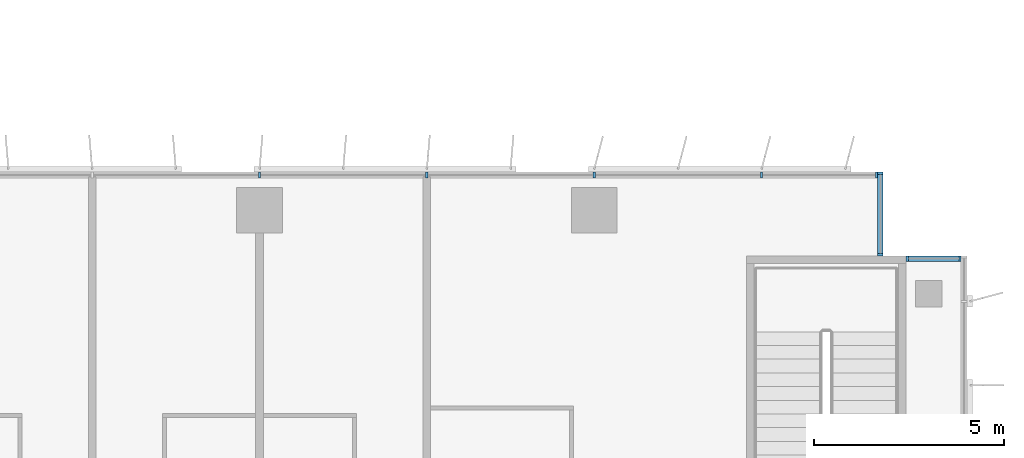
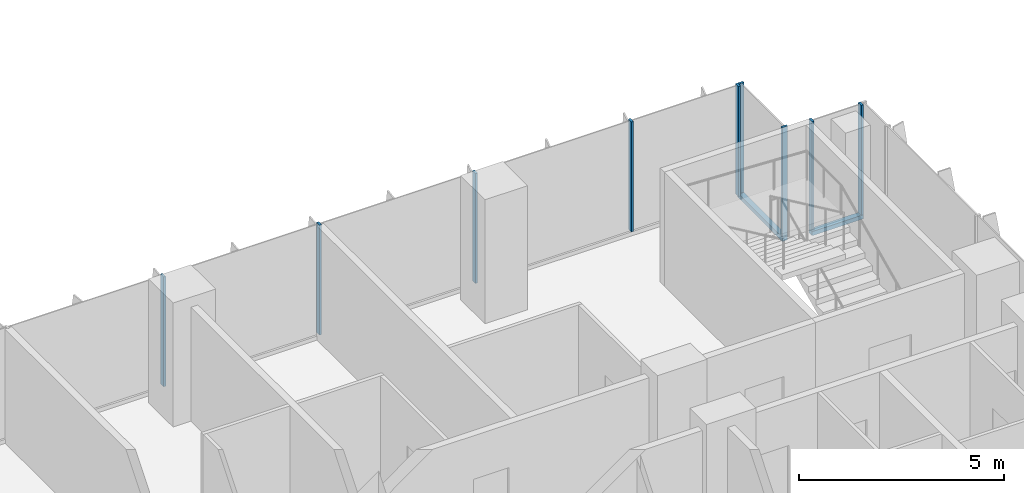
# One storey, part 4 of 23: 11 members, 3 elements without a shape of their own.
"""IFC4 building model written with IfcOpenShell, lengths in metres."""

from ifc_helpers import new_model, si_unit, direction, frame, origin, origin_2d, place, context, subcontext, project, spatial, rectangle, extrude, source, transform, mapped, material, material_profile, profile_set, type_object, element, aggregate, save


model = new_model("IFC4")

# Units and contexts
model_context = context("Model", 3, precision=1e-05, world=origin(), true_north=direction((0.0, 1.0)))
body_context = subcontext(model_context, "Body", "Model", "MODEL_VIEW")
ifc_project = project(units=[si_unit("LENGTHUNIT", "METRE"), si_unit("AREAUNIT", "SQUARE_METRE"), si_unit("VOLUMEUNIT", "CUBIC_METRE"), si_unit("PLANEANGLEUNIT", "RADIAN"), si_unit("MASSUNIT", "GRAM", prefix="KILO")], contexts=[model_context])

# Site, building, storey
site_placement = place(None, origin())
site = spatial("IfcSite", under=ifc_project, at=site_placement, CompositionType="ELEMENT")
building_placement = place(site_placement, origin())
building = spatial("IfcBuilding", under=site, at=building_placement, Name="Kemantara Hotel Tower", CompositionType="ELEMENT")
storey_placement = place(building_placement, frame((0.0, 0.0, 114.800048828125)))
storey = spatial("IfcBuildingStorey", under=building, at=storey_placement, Name="L27", CompositionType="ELEMENT", Elevation=114.800048828125)

# Curtain wall, member
ifc_material_1 = material(Name="Low-E tinted double insulated glass 36 mm", Category="glass")
curtain_wall_type = type_object("IfcCurtainWallType", Name="TOWER CURTAIN WALL, FRONT FACES", PredefinedType="USERDEFINED", material=ifc_material_1)
curtain_wall_1_placement = place(storey_placement, origin())
curtain_wall_1 = element("IfcCurtainWall", 1, at=curtain_wall_1_placement, inside=storey, type_object=curtain_wall_type, Name="CW4 L27 T2-R11-1", ObjectType="TOWER CURTAIN WALL, FRONT FACES", PredefinedType="USERDEFINED")
ifc_material_2 = material(Name="Aluminium 6063-T6 bronze anodised", Category="aluminium")
ifc_material_profile_1 = material_profile(ifc_material_2, rectangle(XDim=0.14990234375, YDim=0.1201171875, at=origin_2d()), Name="TOWER CURTAIN WALL, FRONT FACES TRANSOM")
ifc_profile_set_1 = profile_set([ifc_material_profile_1], Name="Aluminium 6063-T6 bronze anodised")
member_type_1 = type_object("IfcMemberType", Name="TOWER CURTAIN WALL, FRONT FACES TRANSOM", PredefinedType="USERDEFINED", material=ifc_profile_set_1)
member_1_placement = place(storey_placement, frame((63.449951171875, 19.72509765625, 0.06005859375), z_axis=(-1.0, 0.0, 0.0), x_axis=(0.0, -1.0, 0.0)))
member_1 = element("IfcMember", 2, at=member_1_placement, type_object=member_type_1, Name="CW4 sill transom T2-R11-1", ObjectType="TRANSOM", PredefinedType="USERDEFINED", context=body_context, shape_type="SweptSolid", body=[
    extrude(rectangle(XDim=0.14990234375, YDim=0.1201171875, at=origin_2d()), origin(), (0.0, 0.0, 1.0), 1.449951171875),
])

curtain_wall_2_placement = place(storey_placement, origin())
curtain_wall_2 = element("IfcCurtainWall", 3, at=curtain_wall_2_placement, inside=storey, type_object=curtain_wall_type, Name="CW4 L27 T2-R12-1", ObjectType="TOWER CURTAIN WALL, FRONT FACES", PredefinedType="USERDEFINED")
member_2_placement = place(storey_placement, frame((61.324951171875, 19.800048828125, 0.06005859375), z_axis=(0.0, 1.0, 0.0), x_axis=(-1.0, 0.0, 0.0)))
member_2 = element("IfcMember", 4, at=member_2_placement, type_object=member_type_1, Name="CW4 sill transom T2-R12-1", ObjectType="TRANSOM", PredefinedType="USERDEFINED", context=body_context, shape_type="SweptSolid", body=[
    extrude(rectangle(XDim=0.14990234375, YDim=0.1201171875, at=origin_2d()), origin(), (0.0, 0.0, 1.0), 2.199951171875),
])

# Curtain wall, members
curtain_wall_3_placement = place(storey_placement, origin())
curtain_wall_3 = element("IfcCurtainWall", 5, at=curtain_wall_3_placement, inside=storey, type_object=curtain_wall_type, Name="CW4 L27 T2-R13-1", ObjectType="TOWER CURTAIN WALL, FRONT FACES", PredefinedType="USERDEFINED")
ifc_material_profile_2 = material_profile(ifc_material_2, rectangle(XDim=0.14990234375, YDim=0.06005859375, at=origin_2d()), Name="TOWER CURTAIN WALL, FRONT FACES MULLION")
ifc_profile_set_2 = profile_set([ifc_material_profile_2], Name="Aluminium 6063-T6 bronze anodised")
member_type_2 = type_object("IfcMemberType", Name="TOWER CURTAIN WALL, FRONT FACES MULLION", PredefinedType="MULLION", material=ifc_profile_set_2)
shared_shape = source(origin(), body_context, "Body", "SweptSolid", [
    extrude(rectangle(XDim=0.14990234375, YDim=0.06005859375, at=origin_2d()), origin(), (0.0, 0.0, 1.0), 3.280029296875),
])
member_3_placement = place(storey_placement, frame((61.219970703125, 21.925048828125, 0.119873046875), z_axis=(0.0, 0.0, 1.0), x_axis=(0.0, -1.0, 0.0)))
member_3 = element("IfcMember", 6, at=member_3_placement, type_object=member_type_2, Name="CW4 mullion T2-R13-1.1", PredefinedType="MULLION", context=body_context, shape_type="MappedRepresentation", body=[
    mapped(shared_shape, transform((0.0, 0.0, 0.0))),
])
member_4_placement = place(storey_placement, frame((58.199951171875, 21.925048828125, 0.119873046875), z_axis=(0.0, 0.0, 1.0), x_axis=(0.0, -1.0, 0.0)))
member_4 = element("IfcMember", 7, at=member_4_placement, type_object=member_type_2, Name="CW4 mullion T2-R13-1.2", PredefinedType="MULLION", context=body_context, shape_type="MappedRepresentation", body=[
    mapped(shared_shape, transform((0.0, 0.0, 0.0))),
])
member_5_placement = place(storey_placement, frame((53.800048828125, 21.925048828125, 0.119873046875), z_axis=(0.0, 0.0, 1.0), x_axis=(0.0, -1.0, 0.0)))
member_5 = element("IfcMember", 8, at=member_5_placement, type_object=member_type_2, Name="CW4 mullion T2-R13-1.3", PredefinedType="MULLION", context=body_context, shape_type="MappedRepresentation", body=[
    mapped(shared_shape, transform((0.0, 0.0, 0.0))),
])
member_6_placement = place(storey_placement, frame((49.39990234375, 21.925048828125, 0.119873046875), z_axis=(0.0, 0.0, 1.0), x_axis=(0.0, -1.0, 0.0)))
member_6 = element("IfcMember", 9, at=member_6_placement, type_object=member_type_2, Name="CW4 mullion T2-R13-1.4", PredefinedType="MULLION", context=body_context, shape_type="MappedRepresentation", body=[
    mapped(shared_shape, transform((0.0, 0.0, 0.0))),
])
member_7_placement = place(storey_placement, frame((45.0, 21.925048828125, 0.119873046875), z_axis=(0.0, 0.0, 1.0), x_axis=(0.0, -1.0, 0.0)))
member_7 = element("IfcMember", 10, at=member_7_placement, type_object=member_type_2, Name="CW4 mullion T2-R13-1.5", PredefinedType="MULLION", context=body_context, shape_type="MappedRepresentation", body=[
    mapped(shared_shape, transform((0.0, 0.0, 0.0))),
])
aggregate(curtain_wall_3, [member_3, member_4, member_5, member_6, member_7])

# Member
member_8_placement = place(storey_placement, frame((63.419921875, 19.72509765625, 0.119873046875), z_axis=(0.0, 0.0, 1.0), x_axis=(0.0, -1.0, 0.0)))
member_8 = element("IfcMember", 11, at=member_8_placement, type_object=member_type_2, Name="CW4 mullion T2-R11-1.1", PredefinedType="MULLION", context=body_context, shape_type="MappedRepresentation", body=[
    mapped(shared_shape, transform((0.0, 0.0, 0.0))),
])

member_9_placement = place(storey_placement, frame((62.030029296875, 19.72509765625, 0.119873046875), z_axis=(0.0, 0.0, 1.0), x_axis=(0.0, -1.0, 0.0)))
member_9 = element("IfcMember", 12, at=member_9_placement, type_object=member_type_2, Name="CW4 mullion T2-R11-1.2", PredefinedType="MULLION", context=body_context, shape_type="MappedRepresentation", body=[
    mapped(shared_shape, transform((0.0, 0.0, 0.0))),
])

aggregate(curtain_wall_1, [member_1, member_8, member_9])

member_10_placement = place(storey_placement, frame((61.324951171875, 19.830078125, 0.119873046875), z_axis=(0.0, 0.0, 1.0), x_axis=(-1.0, 0.0, 0.0)))
member_10 = element("IfcMember", 13, at=member_10_placement, type_object=member_type_2, Name="CW4 mullion T2-R12-1.1", PredefinedType="MULLION", context=body_context, shape_type="MappedRepresentation", body=[
    mapped(shared_shape, transform((0.0, 0.0, 0.0))),
])

member_11_placement = place(storey_placement, frame((61.324951171875, 21.969970703125, 0.119873046875), z_axis=(0.0, 0.0, 1.0), x_axis=(-1.0, 0.0, 0.0)))
member_11 = element("IfcMember", 14, at=member_11_placement, type_object=member_type_2, Name="CW4 mullion T2-R12-1.2", PredefinedType="MULLION", context=body_context, shape_type="MappedRepresentation", body=[
    mapped(shared_shape, transform((0.0, 0.0, 0.0))),
])

aggregate(curtain_wall_2, [member_2, member_10, member_11])

save(model, "model.ifc")
